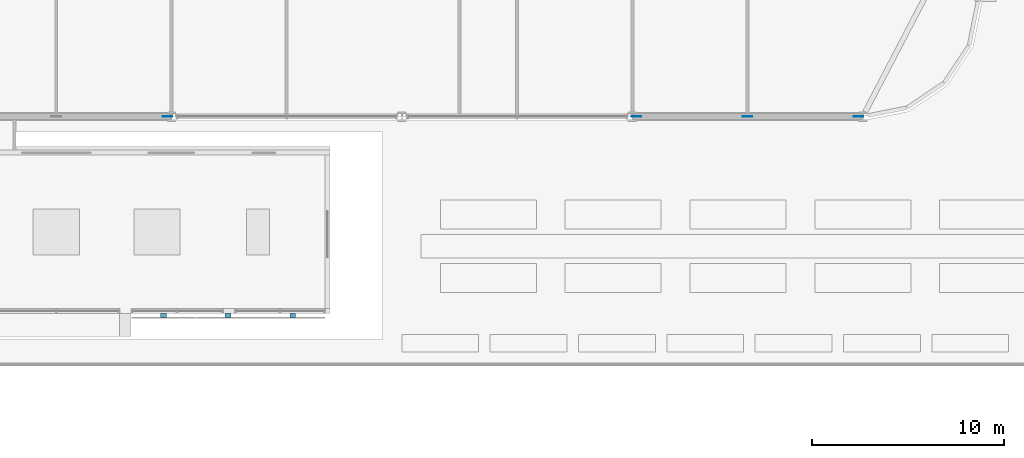
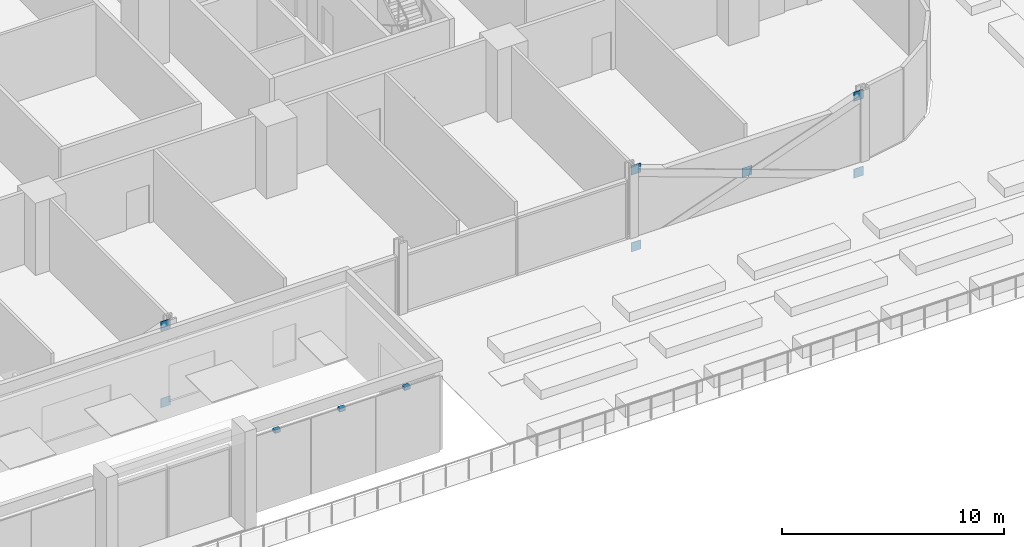
# One storey, part 24 of 39: 10 discrete accessories.
"""IFC4 building model written with IfcOpenShell, lengths in metres."""

from ifc_helpers import new_model, si_unit, direction, frame, origin, origin_2d, place, context, subcontext, project, spatial, rectangle, extrude, material, layer, layer_set, type_object, element, save


model = new_model("IFC4")

# Units and contexts
model_context = context("Model", 3, precision=1e-05, world=origin(), true_north=direction((0.0, 1.0)))
body_context = subcontext(model_context, "Body", "Model", "MODEL_VIEW")
ifc_project = project(units=[si_unit("LENGTHUNIT", "METRE"), si_unit("AREAUNIT", "SQUARE_METRE"), si_unit("VOLUMEUNIT", "CUBIC_METRE"), si_unit("PLANEANGLEUNIT", "RADIAN"), si_unit("MASSUNIT", "GRAM", prefix="KILO")], contexts=[model_context])

# Site, building, storey
site_placement = place(None, origin())
site = spatial("IfcSite", under=ifc_project, at=site_placement, CompositionType="ELEMENT")
building_placement = place(site_placement, origin())
building = spatial("IfcBuilding", under=site, at=building_placement, Name="Mahtab Terrace Research Tower", CompositionType="ELEMENT")
storey_placement = place(building_placement, frame((0.0, 0.0, 7.199951171875)))
storey = spatial("IfcBuildingStorey", under=building, at=storey_placement, Name="L01", CompositionType="ELEMENT", Elevation=7.199951171875)

# Discrete accessories
ifc_material_1 = material(Name="Black anodised aluminium", Category="aluminium")
discrete_accessory_type_1 = type_object("IfcDiscreteAccessoryType", Name="Facade bracket", PredefinedType="BRACKET", material=ifc_material_1)
for number, where, z_axis, x_axis, name in (
    (1, (5.583251953125, -33.35009765625, 4.05029296875), (0.0, 0.0, 1.0), (1.0, 0.0, 0.0), "Screen bracket 4"),
    (2, (8.949951171875, -33.35009765625, 4.05029296875), (0.0, 0.0, 1.0), (1.0, 0.0, 0.0), "Screen bracket 5"),
    (3, (12.316650390625, -33.35009765625, 4.05029296875), (0.0, 0.0, 1.0), (1.0, 0.0, 0.0), "Screen bracket 6"),
):
    element("IfcDiscreteAccessory", number, at=place(storey_placement, frame(where, z_axis=z_axis, x_axis=x_axis)), inside=storey, type_object=discrete_accessory_type_1, Name=name, PredefinedType="BRACKET", context=body_context, shape_type="SweptSolid", body=[
        extrude(rectangle(XDim=0.300048828125, YDim=0.199951171875, at=origin_2d()), origin(), (0.0, 0.0, 1.0), 0.199951171875),
    ])
ifc_material_2 = material(Name="Steel ASTM A992 Gr 50", Category="steel")
ifc_layer = layer(ifc_material_2, 0.030029296875)
ifc_layer_set = layer_set([ifc_layer], Name="Gusset plate 500x500x30")
discrete_accessory_type_2 = type_object("IfcDiscreteAccessoryType", Name="Gusset plate 500x500x30", PredefinedType="USERDEFINED", material=ifc_layer_set)
for number, where, z_axis, x_axis, name in (
    (4, (5.7841796875, -23.0, -0.89111328125), (0.0, 0.0, 1.0), (1.0, 0.0, 0.0), "Gusset plate"),
    (5, (5.7841796875, -23.0, 3.33154296875), (0.0, 0.0, 1.0), (1.0, 0.0, 0.0), "Gusset plate"),
    (6, (30.2158203125, -23.0, -0.89111328125), (0.0, 0.0, 1.0), (1.0, 0.0, 0.0), "Gusset plate"),
    (7, (30.2158203125, -23.0, 3.33154296875), (0.0, 0.0, 1.0), (1.0, 0.0, 0.0), "Gusset plate"),
    (8, (36.0, -23.0, 1.181640625), (0.0, 0.0, 1.0), (1.0, 0.0, 0.0), "Gusset plate"),
    (9, (41.7841796875, -23.0, -0.89111328125), (0.0, 0.0, 1.0), (1.0, 0.0, 0.0), "Gusset plate"),
    (10, (41.7841796875, -23.0, 3.33154296875), (0.0, 0.0, 1.0), (1.0, 0.0, 0.0), "Gusset plate"),
):
    element("IfcDiscreteAccessory", number, at=place(storey_placement, frame(where, z_axis=z_axis, x_axis=x_axis)), inside=storey, type_object=discrete_accessory_type_2, Name=name, ObjectType="GUSSET PLATE", PredefinedType="USERDEFINED", context=body_context, shape_type="SweptSolid", body=[
        extrude(rectangle(XDim=0.5, YDim=0.030029296875, at=origin_2d()), origin(), (0.0, 0.0, 1.0), 0.5),
    ])

save(model, "model.ifc")
